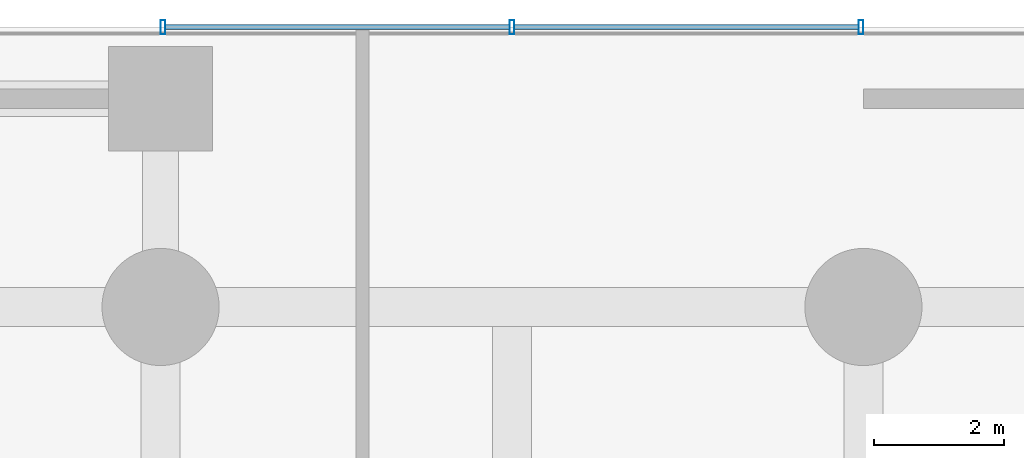
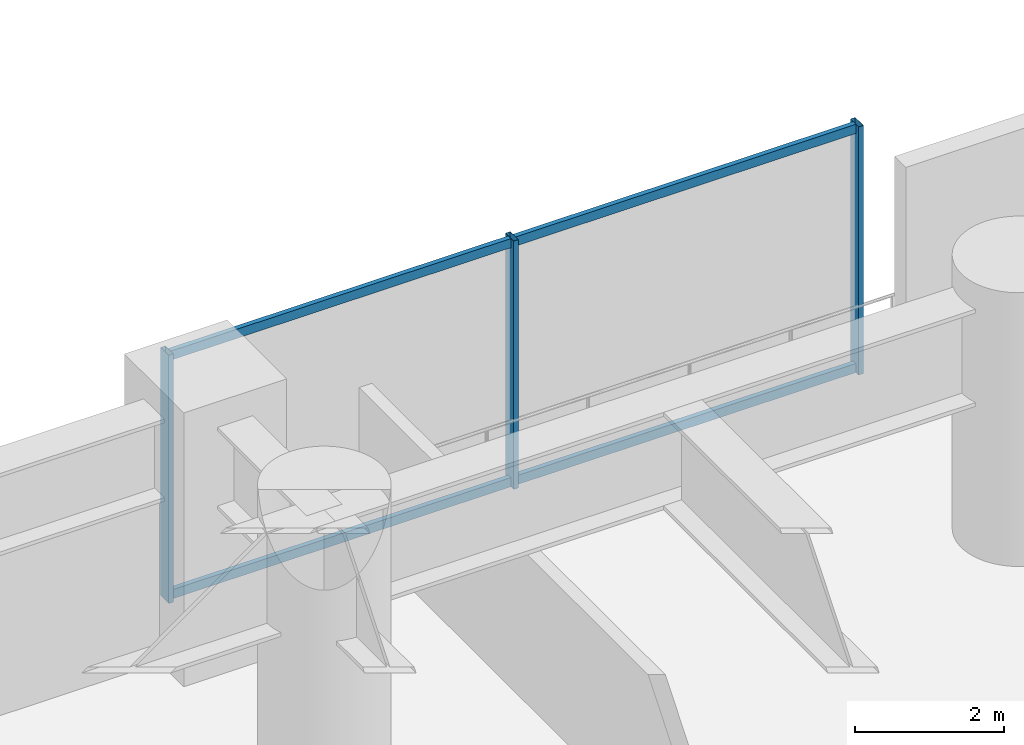
# One storey, part 17 of 37: 7 members, 1 element without a shape of its own.
"""IFC4 building model written with IfcOpenShell, lengths in metres."""

from ifc_helpers import new_model, si_unit, direction, frame, origin, origin_2d, place, context, subcontext, project, spatial, hollow_rectangle, extrude, material, layer, layer_set, material_profile, profile_set, type_object, element, aggregate, save


model = new_model("IFC4")

# Units and contexts
model_context = context("Model", 3, precision=1e-05, world=origin(), true_north=direction((0.0, 1.0)))
body_context = subcontext(model_context, "Body", "Model", "MODEL_VIEW")
ifc_project = project(units=[si_unit("LENGTHUNIT", "METRE"), si_unit("AREAUNIT", "SQUARE_METRE"), si_unit("VOLUMEUNIT", "CUBIC_METRE"), si_unit("PLANEANGLEUNIT", "RADIAN"), si_unit("MASSUNIT", "GRAM", prefix="KILO")], contexts=[model_context])

# Site, building, storey
site_placement = place(None, origin())
site = spatial("IfcSite", under=ifc_project, at=site_placement, CompositionType="ELEMENT")
building_placement = place(site_placement, origin())
building = spatial("IfcBuilding", under=site, at=building_placement, Name="Surkhivell Harbour Commons", CompositionType="ELEMENT")
storey_placement = place(building_placement, frame((0.0, 0.0, 18.0)))
storey = spatial("IfcBuildingStorey", under=building, at=storey_placement, Name="L04", CompositionType="ELEMENT", Elevation=18.0)

# Curtain wall, members
ifc_material_1 = material(Name="Anodised pale-metal aluminium and insulated glazing", Category="aluminium")
ifc_layer = layer(ifc_material_1, 0.239990234375)
ifc_layer_set = layer_set([ifc_layer], Name="Anodised pale-metal aluminium and insulated glazing")
curtain_wall_type = type_object("IfcCurtainWallType", Name="CW-SYS-POD", PredefinedType="NOTDEFINED", material=ifc_layer_set)
curtain_wall_placement = place(storey_placement, origin())
curtain_wall = element("IfcCurtainWall", 1, at=curtain_wall_placement, inside=storey, type_object=curtain_wall_type, Name="L04 Curtain Wall CW-L04-N6", PredefinedType="NOTDEFINED")
ifc_material_2 = material(Name="Anodised pale-metal aluminium alloy 6063-T6", Category="aluminium")
ifc_material_profile_1 = material_profile(ifc_material_2, hollow_rectangle(XDim=0.074951171875, YDim=0.219970703125, WallThickness=0.00390625, at=origin_2d()), Name="ALU-MULL-75x220")
ifc_profile_set_1 = profile_set([ifc_material_profile_1], Name="Anodised pale-metal aluminium alloy 6063-T6")
member_type_1 = type_object("IfcMemberType", Name="CWM-220", PredefinedType="MULLION", material=ifc_profile_set_1)
member_1_placement = place(storey_placement, frame((10.83740234375, 25.89990234375, 0.0), z_axis=(0.0, 0.0, 1.0), x_axis=(1.0, 0.0, 0.0)))
member_1 = element("IfcMember", 2, at=member_1_placement, type_object=member_type_1, Name="CW-POD mullion 1", PredefinedType="MULLION", context=body_context, shape_type="SweptSolid", body=[
    extrude(hollow_rectangle(XDim=0.074951171875, YDim=0.219970703125, WallThickness=0.00390625, at=origin_2d()), origin(), (0.0, 0.0, 1.0), 4.080078125),
])
member_2_placement = place(storey_placement, frame((16.199951171875, 25.89990234375, 0.0), z_axis=(0.0, 0.0, 1.0), x_axis=(1.0, 0.0, 0.0)))
member_2 = element("IfcMember", 3, at=member_2_placement, type_object=member_type_1, Name="CW-POD mullion 2", PredefinedType="MULLION", context=body_context, shape_type="SweptSolid", body=[
    extrude(hollow_rectangle(XDim=0.074951171875, YDim=0.219970703125, WallThickness=0.00390625, at=origin_2d()), origin(), (0.0, 0.0, 1.0), 4.080078125),
])
member_3_placement = place(storey_placement, frame((21.5625, 25.89990234375, 0.0), z_axis=(0.0, 0.0, 1.0), x_axis=(1.0, 0.0, 0.0)))
member_3 = element("IfcMember", 4, at=member_3_placement, type_object=member_type_1, Name="CW-POD mullion 3", PredefinedType="MULLION", context=body_context, shape_type="SweptSolid", body=[
    extrude(hollow_rectangle(XDim=0.074951171875, YDim=0.219970703125, WallThickness=0.00390625, at=origin_2d()), origin(), (0.0, 0.0, 1.0), 4.080078125),
])
ifc_material_profile_2 = material_profile(ifc_material_2, hollow_rectangle(XDim=0.074951171875, YDim=0.14990234375, WallThickness=0.00341796875, at=origin_2d()), Name="ALU-TRAN-75x150")
ifc_profile_set_2 = profile_set([ifc_material_profile_2], Name="Anodised pale-metal aluminium alloy 6063-T6")
member_type_2 = type_object("IfcMemberType", Name="CWT-150", PredefinedType="USERDEFINED", material=ifc_profile_set_2)
member_4_placement = place(storey_placement, frame((10.875, 25.89990234375, 0.074951171875), z_axis=(1.0, 0.0, 0.0), x_axis=(0.0, 1.0, 0.0)))
member_4 = element("IfcMember", 5, at=member_4_placement, type_object=member_type_2, Name="CW-POD transom 1.1", ObjectType="TRANSOM", PredefinedType="USERDEFINED", context=body_context, shape_type="SweptSolid", body=[
    extrude(hollow_rectangle(XDim=0.074951171875, YDim=0.14990234375, WallThickness=0.00341796875, at=origin_2d()), origin(), (0.0, 0.0, 1.0), 5.28759765625),
])
member_5_placement = place(storey_placement, frame((10.875, 25.89990234375, 4.0048828125), z_axis=(1.0, 0.0, 0.0), x_axis=(0.0, 1.0, 0.0)))
member_5 = element("IfcMember", 6, at=member_5_placement, type_object=member_type_2, Name="CW-POD transom 1.2", ObjectType="TRANSOM", PredefinedType="USERDEFINED", context=body_context, shape_type="SweptSolid", body=[
    extrude(hollow_rectangle(XDim=0.074951171875, YDim=0.14990234375, WallThickness=0.00341796875, at=origin_2d()), origin(), (0.0, 0.0, 1.0), 5.28759765625),
])
member_6_placement = place(storey_placement, frame((16.237548828125, 25.89990234375, 0.074951171875), z_axis=(1.0, 0.0, 0.0), x_axis=(0.0, 1.0, 0.0)))
member_6 = element("IfcMember", 7, at=member_6_placement, type_object=member_type_2, Name="CW-POD transom 2.1", ObjectType="TRANSOM", PredefinedType="USERDEFINED", context=body_context, shape_type="SweptSolid", body=[
    extrude(hollow_rectangle(XDim=0.074951171875, YDim=0.14990234375, WallThickness=0.00341796875, at=origin_2d()), origin(), (0.0, 0.0, 1.0), 5.287353515625),
])
member_7_placement = place(storey_placement, frame((16.237548828125, 25.89990234375, 4.0048828125), z_axis=(1.0, 0.0, 0.0), x_axis=(0.0, 1.0, 0.0)))
member_7 = element("IfcMember", 8, at=member_7_placement, type_object=member_type_2, Name="CW-POD transom 2.2", ObjectType="TRANSOM", PredefinedType="USERDEFINED", context=body_context, shape_type="SweptSolid", body=[
    extrude(hollow_rectangle(XDim=0.074951171875, YDim=0.14990234375, WallThickness=0.00341796875, at=origin_2d()), origin(), (0.0, 0.0, 1.0), 5.287353515625),
])
aggregate(curtain_wall, [member_1, member_2, member_3, member_4, member_5, member_6, member_7])

save(model, "model.ifc")
